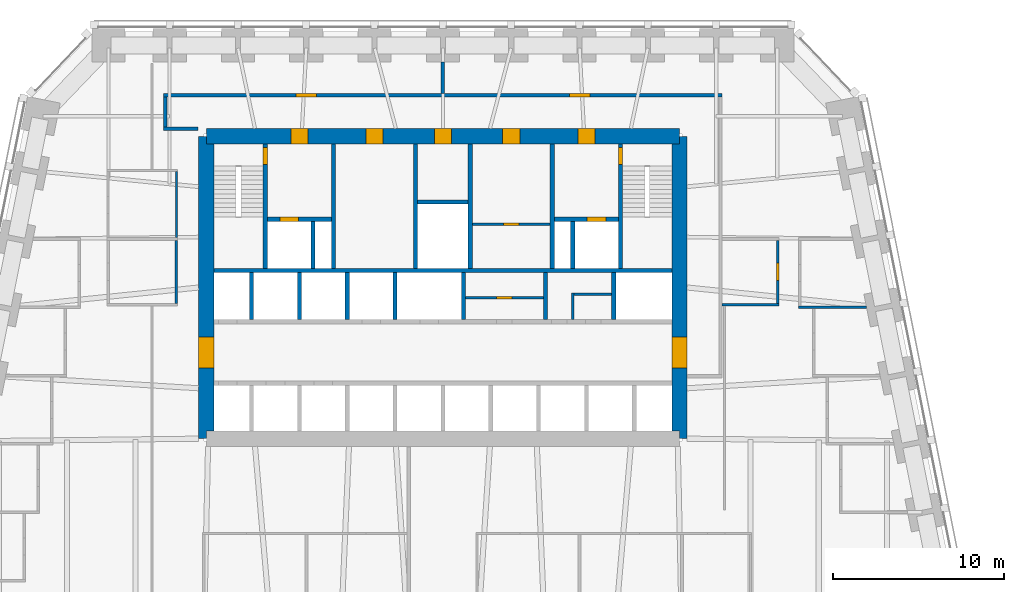
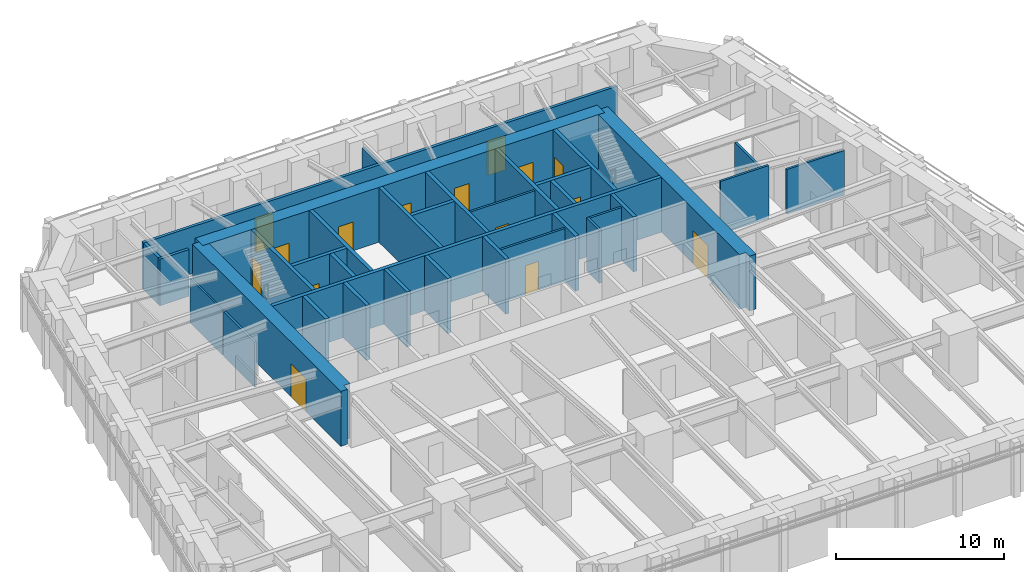
# One storey, part 7 of 10: 35 walls, 16 doors, 16 openings.
"""IFC4 building model written with IfcOpenShell, lengths in metres."""

from ifc_helpers import new_model, si_unit, direction, frame, frame_2d, origin, place, context, subcontext, project, spatial, polyline, rectangle, outline, extrude, material, layer, layer_set, type_object, element, fill, save


model = new_model("IFC4")

# Units and contexts
model_context = context("Model", 3, precision=1e-05, world=origin(), true_north=direction((0.0, 1.0)))
body_context = subcontext(model_context, "Body", "Model", "MODEL_VIEW")
ifc_project = project(units=[si_unit("LENGTHUNIT", "METRE"), si_unit("AREAUNIT", "SQUARE_METRE"), si_unit("VOLUMEUNIT", "CUBIC_METRE"), si_unit("PLANEANGLEUNIT", "RADIAN"), si_unit("MASSUNIT", "GRAM", prefix="KILO")], contexts=[model_context])

# Site, building, storey
site_placement = place(None, origin())
site = spatial("IfcSite", under=ifc_project, at=site_placement, CompositionType="ELEMENT")
building_placement = place(site_placement, origin())
building = spatial("IfcBuilding", under=site, at=building_placement, Name="Isbrekke Arena Tower", CompositionType="ELEMENT")
storey_placement = place(building_placement, frame((0.0, 0.0, 60.0)))
storey = spatial("IfcBuildingStorey", under=building, at=storey_placement, Name="L12", CompositionType="ELEMENT", Elevation=60.0)

# Wall, opening, door
ifc_material_1 = material(Name="Concrete B65 (C65/80)", Category="concrete")
ifc_layer_1 = layer(ifc_material_1, 0.89990234375)
ifc_layer_set_1 = layer_set([ifc_layer_1], Name="CW2 CORE WALL 900")
wall_type_1 = type_object("IfcWallType", Name="CW2 CORE WALL 900", PredefinedType="SHEAR", material=ifc_layer_set_1)
wall_1_placement = place(storey_placement, frame((13.85009765625, 6.14990234375, 0.0), z_axis=(0.0, 0.0, 1.0), x_axis=(0.0, 1.0, 0.0)))
wall_1 = element("IfcWall", 1, at=wall_1_placement, inside=storey, type_object=wall_type_1, Name="Core wall E L12", PredefinedType="SHEAR", context=body_context, shape_type="SweptSolid", body=[
    extrude(outline(polyline([(0.0, -0.449951171875), (17.7001953125, -0.449951171875), (17.7001953125, 0.0), (17.250244140625, 0.0), (17.250244140625, 0.449951171875), (0.449951171875, 0.449951171875), (0.449951171875, 0.0), (0.0, 0.0), (0.0, -0.449951171875)])), origin(), (0.0, 0.0, 1.0), 4.0),
])
opening_1_placement = place(wall_1_placement, frame((4.14990234375, 0.0, 0.0)))
opening_1 = element("IfcOpeningElement", 2, at=opening_1_placement, cuts=wall_1, Name="Opening D1", PredefinedType="OPENING", context=body_context, shape_type="SweptSolid", body=[
    extrude(rectangle(XDim=1.800048828125, YDim=2.39990234375, at=frame_2d((0.89990234375, 1.199951171875))), frame((0.0, 0.46484375, 0.0), z_axis=(0.0, -1.0, 0.0), x_axis=(1.0, 0.0, 0.0)), (0.0, 0.0, 1.0), 0.9296875),
])
ifc_material_2 = material(Name="Steel-framed glazed fire door", Category="steel")
door_type_1 = type_object("IfcDoorType", Name="D1 CORE LOBBY DOOR 1800 x 2400", OperationType="DOUBLE_DOOR_SINGLE_SWING", PredefinedType="DOOR", material=ifc_material_2)
door_1_placement = place(opening_1_placement, origin())
door_1 = element("IfcDoor", 3, at=door_1_placement, inside=storey, type_object=door_type_1, Name="D1 lift lobby door east L12", OperationType="DOUBLE_DOOR_SINGLE_SWING", OverallHeight=2.39990234375, OverallWidth=1.800048828125, PredefinedType="DOOR", context=body_context, shape_type="SweptSolid", body=[
    extrude(rectangle(XDim=1.800048828125, YDim=2.39990234375, at=frame_2d((0.89990234375, 1.199951171875))), frame((0.0, 0.44970703125, 0.0), z_axis=(0.0, -1.0, 0.0), x_axis=(1.0, 0.0, 0.0)), (0.0, 0.0, 1.0), 0.8994140625),
])
fill(opening_1, door_1)

# Wall, openings, doors
wall_2_placement = place(storey_placement, frame((13.85009765625, 23.85009765625, 0.0), z_axis=(0.0, 0.0, 1.0), x_axis=(-1.0, 0.0, 0.0)))
wall_2 = element("IfcWall", 4, at=wall_2_placement, inside=storey, type_object=wall_type_1, Name="Core wall N L12", PredefinedType="SHEAR", context=body_context, shape_type="SweptSolid", body=[
    extrude(rectangle(XDim=27.7001953125, YDim=0.89990234375, at=frame_2d((13.85009765625, 0.0))), origin(), (0.0, 0.0, 1.0), 4.0),
])
opening_2_placement = place(wall_2_placement, frame((21.75, 0.0, 0.0)))
opening_2 = element("IfcOpeningElement", 5, at=opening_2_placement, cuts=wall_2, Name="Opening D3", PredefinedType="OPENING", context=body_context, shape_type="SweptSolid", body=[
    extrude(rectangle(XDim=1.0, YDim=2.10009765625, at=frame_2d((0.5, 1.050048828125))), frame((0.0, 0.46484375, 0.0), z_axis=(0.0, -1.0, 0.0), x_axis=(1.0, 0.0, 0.0)), (0.0, 0.0, 1.0), 0.9296875),
])
opening_3_placement = place(wall_2_placement, frame((4.949951171875, 0.0, 0.0)))
opening_3 = element("IfcOpeningElement", 6, at=opening_3_placement, cuts=wall_2, Name="Opening D3", PredefinedType="OPENING", context=body_context, shape_type="SweptSolid", body=[
    extrude(rectangle(XDim=1.0, YDim=2.10009765625, at=frame_2d((0.5, 1.050048828125))), frame((0.0, 0.46484375, 0.0), z_axis=(0.0, -1.0, 0.0), x_axis=(1.0, 0.0, 0.0)), (0.0, 0.0, 1.0), 0.9296875),
])
opening_4_placement = place(wall_2_placement, frame((17.35009765625, 0.0, 0.0)))
opening_4 = element("IfcOpeningElement", 7, at=opening_4_placement, cuts=wall_2, Name="Opening D4", PredefinedType="OPENING", context=body_context, shape_type="SweptSolid", body=[
    extrude(rectangle(XDim=1.0, YDim=2.10009765625, at=frame_2d((0.5, 1.050048828125))), frame((0.0, 0.46484375, 0.0), z_axis=(0.0, -1.0, 0.0), x_axis=(1.0, 0.0, 0.0)), (0.0, 0.0, 1.0), 0.9296875),
])
opening_5_placement = place(wall_2_placement, frame((13.35009765625, 0.0, 0.0)))
opening_5 = element("IfcOpeningElement", 8, at=opening_5_placement, cuts=wall_2, Name="Opening D4", PredefinedType="OPENING", context=body_context, shape_type="SweptSolid", body=[
    extrude(rectangle(XDim=1.0, YDim=2.10009765625, at=frame_2d((0.5, 1.050048828125))), frame((0.0, 0.46484375, 0.0), z_axis=(0.0, -1.0, 0.0), x_axis=(1.0, 0.0, 0.0)), (0.0, 0.0, 1.0), 0.9296875),
])
opening_6_placement = place(wall_2_placement, frame((9.35009765625, 0.0, 0.0)))
opening_6 = element("IfcOpeningElement", 9, at=opening_6_placement, cuts=wall_2, Name="Opening D4", PredefinedType="OPENING", context=body_context, shape_type="SweptSolid", body=[
    extrude(rectangle(XDim=1.0, YDim=2.10009765625, at=frame_2d((0.5, 1.050048828125))), frame((0.0, 0.46484375, 0.0), z_axis=(0.0, -1.0, 0.0), x_axis=(1.0, 0.0, 0.0)), (0.0, 0.0, 1.0), 0.9296875),
])
ifc_material_3 = material(Name="Steel fire door", Category="steel")
door_type_2 = type_object("IfcDoorType", Name="D3 FIRE LOBBY DOOR 1000 x 2100", OperationType="SINGLE_SWING_RIGHT", PredefinedType="DOOR", material=ifc_material_3)
door_2_placement = place(opening_2_placement, origin())
door_2 = element("IfcDoor", 10, at=door_2_placement, inside=storey, type_object=door_type_2, Name="D3 fire-fighting lobby door L12", OperationType="SINGLE_SWING_RIGHT", OverallHeight=2.10009765625, OverallWidth=1.0, PredefinedType="DOOR", context=body_context, shape_type="SweptSolid", body=[
    extrude(rectangle(XDim=1.0, YDim=2.10009765625, at=frame_2d((0.5, 1.050048828125))), frame((0.0, 0.44970703125, 0.0), z_axis=(0.0, -1.0, 0.0), x_axis=(1.0, 0.0, 0.0)), (0.0, 0.0, 1.0), 0.8994140625),
])
fill(opening_2, door_2)
door_3_placement = place(opening_3_placement, origin())
door_3 = element("IfcDoor", 11, at=door_3_placement, inside=storey, type_object=door_type_2, Name="D3 fire-fighting lobby door L12", OperationType="SINGLE_SWING_RIGHT", OverallHeight=2.10009765625, OverallWidth=1.0, PredefinedType="DOOR", context=body_context, shape_type="SweptSolid", body=[
    extrude(rectangle(XDim=1.0, YDim=2.10009765625, at=frame_2d((0.5, 1.050048828125))), frame((0.0, 0.44970703125, 0.0), z_axis=(0.0, -1.0, 0.0), x_axis=(1.0, 0.0, 0.0)), (0.0, 0.0, 1.0), 0.8994140625),
])
fill(opening_3, door_3)
ifc_material_4 = material(Name="Timber door", Category="wood")
door_type_3 = type_object("IfcDoorType", Name="D4 WC DOOR 1000 x 2100", OperationType="SINGLE_SWING_LEFT", PredefinedType="DOOR", material=ifc_material_4)
door_4_placement = place(opening_4_placement, origin())
door_4 = element("IfcDoor", 12, at=door_4_placement, inside=storey, type_object=door_type_3, Name="D4 wc female door L12", OperationType="SINGLE_SWING_LEFT", OverallHeight=2.10009765625, OverallWidth=1.0, PredefinedType="DOOR", context=body_context, shape_type="SweptSolid", body=[
    extrude(rectangle(XDim=1.0, YDim=2.10009765625, at=frame_2d((0.5, 1.050048828125))), frame((0.0, 0.44970703125, 0.0), z_axis=(0.0, -1.0, 0.0), x_axis=(1.0, 0.0, 0.0)), (0.0, 0.0, 1.0), 0.8994140625),
])
fill(opening_4, door_4)
door_5_placement = place(opening_5_placement, origin())
door_5 = element("IfcDoor", 13, at=door_5_placement, inside=storey, type_object=door_type_3, Name="D4 accessible wc door L12", OperationType="SINGLE_SWING_LEFT", OverallHeight=2.10009765625, OverallWidth=1.0, PredefinedType="DOOR", context=body_context, shape_type="SweptSolid", body=[
    extrude(rectangle(XDim=1.0, YDim=2.10009765625, at=frame_2d((0.5, 1.050048828125))), frame((0.0, 0.44970703125, 0.0), z_axis=(0.0, -1.0, 0.0), x_axis=(1.0, 0.0, 0.0)), (0.0, 0.0, 1.0), 0.8994140625),
])
fill(opening_5, door_5)
door_6_placement = place(opening_6_placement, origin())
door_6 = element("IfcDoor", 14, at=door_6_placement, inside=storey, type_object=door_type_3, Name="D4 wc male door L12", OperationType="SINGLE_SWING_LEFT", OverallHeight=2.10009765625, OverallWidth=1.0, PredefinedType="DOOR", context=body_context, shape_type="SweptSolid", body=[
    extrude(rectangle(XDim=1.0, YDim=2.10009765625, at=frame_2d((0.5, 1.050048828125))), frame((0.0, 0.44970703125, 0.0), z_axis=(0.0, -1.0, 0.0), x_axis=(1.0, 0.0, 0.0)), (0.0, 0.0, 1.0), 0.8994140625),
])
fill(opening_6, door_6)

# Wall, opening, door
wall_3_placement = place(storey_placement, frame((-13.85009765625, 23.85009765625, 0.0), z_axis=(0.0, 0.0, 1.0), x_axis=(0.0, -1.0, 0.0)))
wall_3 = element("IfcWall", 15, at=wall_3_placement, inside=storey, type_object=wall_type_1, Name="Core wall W L12", PredefinedType="SHEAR", context=body_context, shape_type="SweptSolid", body=[
    extrude(outline(polyline([(0.0, -0.449951171875), (17.7001953125, -0.449951171875), (17.7001953125, 0.0), (17.250244140625, 0.0), (17.250244140625, 0.449951171875), (0.449951171875, 0.449951171875), (0.449951171875, 0.0), (0.0, 0.0), (0.0, -0.449951171875)])), origin(), (0.0, 0.0, 1.0), 4.0),
])
opening_7_placement = place(wall_3_placement, frame((11.75, 0.0, 0.0)))
opening_7 = element("IfcOpeningElement", 16, at=opening_7_placement, cuts=wall_3, Name="Opening D1", PredefinedType="OPENING", context=body_context, shape_type="SweptSolid", body=[
    extrude(rectangle(XDim=1.800048828125, YDim=2.39990234375, at=frame_2d((0.89990234375, 1.199951171875))), frame((0.0, 0.46484375, 0.0), z_axis=(0.0, -1.0, 0.0), x_axis=(1.0, 0.0, 0.0)), (0.0, 0.0, 1.0), 0.9296875),
])
door_7_placement = place(opening_7_placement, origin())
door_7 = element("IfcDoor", 17, at=door_7_placement, inside=storey, type_object=door_type_1, Name="D1 lift lobby door west L12", OperationType="DOUBLE_DOOR_SINGLE_SWING", OverallHeight=2.39990234375, OverallWidth=1.800048828125, PredefinedType="DOOR", context=body_context, shape_type="SweptSolid", body=[
    extrude(rectangle(XDim=1.800048828125, YDim=2.39990234375, at=frame_2d((0.89990234375, 1.199951171875))), frame((0.0, 0.44970703125, 0.0), z_axis=(0.0, -1.0, 0.0), x_axis=(1.0, 0.0, 0.0)), (0.0, 0.0, 1.0), 0.8994140625),
])
fill(opening_7, door_7)

# Walls
ifc_material_5 = material(Name="Concrete B45 (C45/55)", Category="concrete")
ifc_layer_2 = layer(ifc_material_5, 0.25)
ifc_layer_set_2 = layer_set([ifc_layer_2], Name="CW6 SHAFT WALL 250")
wall_type_2 = type_object("IfcWallType", Name="CW6 SHAFT WALL 250", PredefinedType="SHEAR", material=ifc_layer_set_2)
wall_4_placement = place(storey_placement, frame((-13.39990234375, 16.0, 0.0), z_axis=(0.0, 0.0, 1.0), x_axis=(1.0, 0.0, 0.0)))
element("IfcWall", 18, at=wall_4_placement, inside=storey, type_object=wall_type_2, Name="Core wall NB L12", PredefinedType="SHEAR", context=body_context, shape_type="SweptSolid", body=[
    extrude(rectangle(XDim=26.7998046875, YDim=0.25, at=frame_2d((13.39990234375, 0.0))), origin(), (0.0, 0.0, 1.0), 4.0),
])
for number, where, z_axis, x_axis, name in (
    (19, (-11.199951171875, 13.125, 0.0), (0.0, 0.0, 1.0), (0.0, 1.0, 0.0), "Core wall SN01 L12"),
    (20, (-8.39990234375, 13.125, 0.0), (0.0, 0.0, 1.0), (0.0, 1.0, 0.0), "Core wall SN02 L12"),
    (21, (-5.60009765625, 13.125, 0.0), (0.0, 0.0, 1.0), (0.0, 1.0, 0.0), "Core wall SN03 L12"),
    (22, (-2.800048828125, 13.125, 0.0), (0.0, 0.0, 1.0), (0.0, 1.0, 0.0), "Core wall SN04 L12"),
    (23, (1.199951171875, 13.125, 0.0), (0.0, 0.0, 1.0), (0.0, 1.0, 0.0), "Core wall SN05 L12"),
    (24, (6.0, 13.125, 0.0), (0.0, 0.0, 1.0), (0.0, 1.0, 0.0), "Core wall SN06 L12"),
    (25, (10.0, 13.125, 0.0), (0.0, 0.0, 1.0), (0.0, 1.0, 0.0), "Core wall SN07 L12"),
):
    element("IfcWall", number, at=place(storey_placement, frame(where, z_axis=z_axis, x_axis=x_axis)), inside=storey, type_object=wall_type_2, Name=name, PredefinedType="SHEAR", context=body_context, shape_type="SweptSolid", body=[
        extrude(rectangle(XDim=2.75, YDim=0.25, at=frame_2d((1.375, 0.0))), origin(), (0.0, 0.0, 1.0), 4.0),
    ])

# Wall, opening, door
wall_5_placement = place(storey_placement, frame((-10.39990234375, 16.125, 0.0), z_axis=(0.0, 0.0, 1.0), x_axis=(0.0, 1.0, 0.0)))
wall_5 = element("IfcWall", 26, at=wall_5_placement, inside=storey, type_object=wall_type_2, Name="Core wall NV01 L12", PredefinedType="SHEAR", context=body_context, shape_type="SweptSolid", body=[
    extrude(rectangle(XDim=7.27490234375, YDim=0.25, at=frame_2d((3.637451171875, 0.0))), origin(), (0.0, 0.0, 1.0), 4.0),
])
opening_8_placement = place(wall_5_placement, frame((6.074951171875, 0.0, 0.0)))
opening_8 = element("IfcOpeningElement", 27, at=opening_8_placement, cuts=wall_5, Name="Opening D2", PredefinedType="OPENING", context=body_context, shape_type="SweptSolid", body=[
    extrude(rectangle(XDim=1.0, YDim=2.10009765625, at=frame_2d((0.5, 1.050048828125))), frame((0.0, 0.139892578125, 0.0), z_axis=(0.0, -1.0, 0.0), x_axis=(1.0, 0.0, 0.0)), (0.0, 0.0, 1.0), 0.27978515625),
])
ifc_material_6 = material(Name="Steel fire door", Category="steel")
door_type_4 = type_object("IfcDoorType", Name="D2 STAIR DOOR 1000 x 2100", OperationType="SINGLE_SWING_LEFT", PredefinedType="DOOR", material=ifc_material_6)
door_8_placement = place(opening_8_placement, origin())
door_8 = element("IfcDoor", 28, at=door_8_placement, inside=storey, type_object=door_type_4, Name="D2 stair door ST1 L12", OperationType="SINGLE_SWING_LEFT", OverallHeight=2.10009765625, OverallWidth=1.0, PredefinedType="DOOR", context=body_context, shape_type="SweptSolid", body=[
    extrude(rectangle(XDim=1.0, YDim=2.10009765625, at=frame_2d((0.5, 1.050048828125))), frame((0.0, 0.124755859375, 0.0), z_axis=(0.0, -1.0, 0.0), x_axis=(1.0, 0.0, 0.0)), (0.0, 0.0, 1.0), 0.24951171875),
])
fill(opening_8, door_8)

# Walls
for number, where, z_axis, x_axis, name in (
    (29, (-6.39990234375, 16.125, 0.0), (0.0, 0.0, 1.0), (0.0, 1.0, 0.0), "Core wall NV02 L12"),
    (30, (-1.60009765625, 16.125, 0.0), (0.0, 0.0, 1.0), (0.0, 1.0, 0.0), "Core wall NV03 L12"),
    (31, (1.60009765625, 16.125, 0.0), (0.0, 0.0, 1.0), (0.0, 1.0, 0.0), "Core wall NV04 L12"),
    (32, (6.39990234375, 16.125, 0.0), (0.0, 0.0, 1.0), (0.0, 1.0, 0.0), "Core wall NV05 L12"),
):
    element("IfcWall", number, at=place(storey_placement, frame(where, z_axis=z_axis, x_axis=x_axis)), inside=storey, type_object=wall_type_2, Name=name, PredefinedType="SHEAR", context=body_context, shape_type="SweptSolid", body=[
        extrude(rectangle(XDim=7.27490234375, YDim=0.25, at=frame_2d((3.637451171875, 0.0))), origin(), (0.0, 0.0, 1.0), 4.0),
    ])

# Wall, opening, door
wall_6_placement = place(storey_placement, frame((10.39990234375, 16.125, 0.0), z_axis=(0.0, 0.0, 1.0), x_axis=(0.0, 1.0, 0.0)))
wall_6 = element("IfcWall", 33, at=wall_6_placement, inside=storey, type_object=wall_type_2, Name="Core wall NV06 L12", PredefinedType="SHEAR", context=body_context, shape_type="SweptSolid", body=[
    extrude(rectangle(XDim=7.27490234375, YDim=0.25, at=frame_2d((3.637451171875, 0.0))), origin(), (0.0, 0.0, 1.0), 4.0),
])
opening_9_placement = place(wall_6_placement, frame((6.074951171875, 0.0, 0.0)))
opening_9 = element("IfcOpeningElement", 34, at=opening_9_placement, cuts=wall_6, Name="Opening D2", PredefinedType="OPENING", context=body_context, shape_type="SweptSolid", body=[
    extrude(rectangle(XDim=1.0, YDim=2.10009765625, at=frame_2d((0.5, 1.050048828125))), frame((0.0, 0.139892578125, 0.0), z_axis=(0.0, -1.0, 0.0), x_axis=(1.0, 0.0, 0.0)), (0.0, 0.0, 1.0), 0.27978515625),
])
door_9_placement = place(opening_9_placement, origin())
door_9 = element("IfcDoor", 35, at=door_9_placement, inside=storey, type_object=door_type_4, Name="D2 stair door ST2 L12", OperationType="SINGLE_SWING_LEFT", OverallHeight=2.10009765625, OverallWidth=1.0, PredefinedType="DOOR", context=body_context, shape_type="SweptSolid", body=[
    extrude(rectangle(XDim=1.0, YDim=2.10009765625, at=frame_2d((0.5, 1.050048828125))), frame((0.0, 0.124755859375, 0.0), z_axis=(0.0, -1.0, 0.0), x_axis=(1.0, 0.0, 0.0)), (0.0, 0.0, 1.0), 0.24951171875),
])
fill(opening_9, door_9)

wall_7_placement = place(storey_placement, frame((-10.27490234375, 19.0, 0.0), z_axis=(0.0, 0.0, 1.0), x_axis=(1.0, 0.0, 0.0)))
wall_7 = element("IfcWall", 36, at=wall_7_placement, inside=storey, type_object=wall_type_2, Name="Core wall NFW L12", PredefinedType="SHEAR", context=body_context, shape_type="SweptSolid", body=[
    extrude(rectangle(XDim=3.75, YDim=0.25, at=frame_2d((1.875, 0.0))), origin(), (0.0, 0.0, 1.0), 4.0),
])
opening_10_placement = place(wall_7_placement, frame((0.72509765625, 0.0, 0.0)))
opening_10 = element("IfcOpeningElement", 37, at=opening_10_placement, cuts=wall_7, Name="Opening LD2", PredefinedType="OPENING", context=body_context, shape_type="SweptSolid", body=[
    extrude(rectangle(XDim=1.10009765625, YDim=2.10009765625, at=frame_2d((0.550048828125, 1.050048828125))), frame((0.0, 0.139892578125, 0.0), z_axis=(0.0, -1.0, 0.0), x_axis=(1.0, 0.0, 0.0)), (0.0, 0.0, 1.0), 0.27978515625),
])
ifc_material_7 = material(Name="Stainless steel lift landing door", Category="steel")
door_type_5 = type_object("IfcDoorType", Name="LD2 FIRE-FIGHTING LIFT LANDING DOOR 1100 x 2100", OperationType="SLIDING_TO_RIGHT", PredefinedType="DOOR", material=ifc_material_7)
door_10_placement = place(opening_10_placement, origin())
door_10 = element("IfcDoor", 38, at=door_10_placement, inside=storey, type_object=door_type_5, Name="LD2 lift landing door LF L12", OperationType="SLIDING_TO_RIGHT", OverallHeight=2.10009765625, OverallWidth=1.10009765625, PredefinedType="DOOR", context=body_context, shape_type="SweptSolid", body=[
    extrude(rectangle(XDim=1.10009765625, YDim=2.10009765625, at=frame_2d((0.550048828125, 1.050048828125))), frame((0.0, 0.124755859375, 0.0), z_axis=(0.0, -1.0, 0.0), x_axis=(1.0, 0.0, 0.0)), (0.0, 0.0, 1.0), 0.24951171875),
])
fill(opening_10, door_10)

wall_8_placement = place(storey_placement, frame((6.52490234375, 19.0, 0.0), z_axis=(0.0, 0.0, 1.0), x_axis=(1.0, 0.0, 0.0)))
wall_8 = element("IfcWall", 39, at=wall_8_placement, inside=storey, type_object=wall_type_2, Name="Core wall NFE L12", PredefinedType="SHEAR", context=body_context, shape_type="SweptSolid", body=[
    extrude(rectangle(XDim=3.75, YDim=0.25, at=frame_2d((1.875, 0.0))), origin(), (0.0, 0.0, 1.0), 4.0),
])
opening_11_placement = place(wall_8_placement, frame((1.925048828125, 0.0, 0.0)))
opening_11 = element("IfcOpeningElement", 40, at=opening_11_placement, cuts=wall_8, Name="Opening LD2", PredefinedType="OPENING", context=body_context, shape_type="SweptSolid", body=[
    extrude(rectangle(XDim=1.10009765625, YDim=2.10009765625, at=frame_2d((0.550048828125, 1.050048828125))), frame((0.0, 0.139892578125, 0.0), z_axis=(0.0, -1.0, 0.0), x_axis=(1.0, 0.0, 0.0)), (0.0, 0.0, 1.0), 0.27978515625),
])
door_11_placement = place(opening_11_placement, origin())
door_11 = element("IfcDoor", 41, at=door_11_placement, inside=storey, type_object=door_type_5, Name="LD2 lift landing door LF L12", OperationType="SLIDING_TO_RIGHT", OverallHeight=2.10009765625, OverallWidth=1.10009765625, PredefinedType="DOOR", context=body_context, shape_type="SweptSolid", body=[
    extrude(rectangle(XDim=1.10009765625, YDim=2.10009765625, at=frame_2d((0.550048828125, 1.050048828125))), frame((0.0, 0.124755859375, 0.0), z_axis=(0.0, -1.0, 0.0), x_axis=(1.0, 0.0, 0.0)), (0.0, 0.0, 1.0), 0.24951171875),
])
fill(opening_11, door_11)

# Walls
for number, where, z_axis, x_axis, name in (
    (42, (-7.60009765625, 16.125, 0.0), (0.0, 0.0, 1.0), (0.0, 1.0, 0.0), "Core wall NFS1 L12"),
    (43, (7.60009765625, 16.125, 0.0), (0.0, 0.0, 1.0), (0.0, 1.0, 0.0), "Core wall NFS2 L12"),
):
    element("IfcWall", number, at=place(storey_placement, frame(where, z_axis=z_axis, x_axis=x_axis)), inside=storey, type_object=wall_type_2, Name=name, PredefinedType="SHEAR", context=body_context, shape_type="SweptSolid", body=[
        extrude(rectangle(XDim=2.75, YDim=0.25, at=frame_2d((1.375, 0.0))), origin(), (0.0, 0.0, 1.0), 4.0),
    ])
wall_9_placement = place(storey_placement, frame((-1.47509765625, 20.0, 0.0), z_axis=(0.0, 0.0, 1.0), x_axis=(1.0, 0.0, 0.0)))
element("IfcWall", 44, at=wall_9_placement, inside=storey, type_object=wall_type_2, Name="Core wall NWC L12", PredefinedType="SHEAR", context=body_context, shape_type="SweptSolid", body=[
    extrude(rectangle(XDim=2.9501953125, YDim=0.25, at=frame_2d((1.47509765625, 0.0))), origin(), (0.0, 0.0, 1.0), 4.0),
])
ifc_material_8 = material(Name="Gypsum board partition on steel studs", Category="steel")
ifc_layer_3 = layer(ifc_material_8, 0.14990234375)
ifc_layer_set_3 = layer_set([ifc_layer_3], Name="IW1 PARTITION 150")
wall_type_3 = type_object("IfcWallType", Name="IW1 PARTITION 150", PredefinedType="PARTITIONING", material=ifc_layer_set_3)
wall_10_placement = place(storey_placement, frame((20.824951171875, 13.840087890625, 0.0), z_axis=(0.0, 0.0, 1.0), x_axis=(1.0, 0.0, 0.0)))
element("IfcWall", 45, at=wall_10_placement, inside=storey, type_object=wall_type_3, Name="IW1 partition 150 L12", PredefinedType="PARTITIONING", context=body_context, shape_type="SweptSolid", body=[
    extrude(rectangle(XDim=3.971435546875, YDim=0.14990234375, at=frame_2d((1.98583984375, 0.0))), origin(), (0.0, 0.0, 1.0), 3.25),
])
wall_11_placement = place(storey_placement, frame((16.35009765625, 14.0, 0.0), z_axis=(0.0, 0.0, 1.0), x_axis=(1.0, 0.0, 0.0)))
element("IfcWall", 46, at=wall_11_placement, inside=storey, type_object=wall_type_3, Name="IW1 partition 150 L12", PredefinedType="PARTITIONING", context=body_context, shape_type="SweptSolid", body=[
    extrude(rectangle(XDim=3.324951171875, YDim=0.14990234375, at=frame_2d((1.66259765625, 0.0))), origin(), (0.0, 0.0, 1.0), 3.85009765625),
])
wall_12_placement = place(storey_placement, frame((-15.60009765625, 14.074951171875, 0.0), z_axis=(0.0, 0.0, 1.0), x_axis=(0.0, 1.0, 0.0)))
element("IfcWall", 47, at=wall_12_placement, inside=storey, type_object=wall_type_3, Name="IW1 partition 150 L12", PredefinedType="PARTITIONING", context=body_context, shape_type="SweptSolid", body=[
    extrude(rectangle(XDim=3.68994140625, YDim=0.14990234375, at=frame_2d((1.844970703125, 0.0))), origin(), (0.0, 0.0, 1.0), 3.25),
])

# Wall, opening, door
wall_13_placement = place(storey_placement, frame((19.60009765625, 14.074951171875, 0.0), z_axis=(0.0, 0.0, 1.0), x_axis=(0.0, 1.0, 0.0)))
wall_13 = element("IfcWall", 48, at=wall_13_placement, inside=storey, type_object=wall_type_3, Name="IW1 partition 150 L12", PredefinedType="PARTITIONING", context=body_context, shape_type="SweptSolid", body=[
    extrude(rectangle(XDim=3.68994140625, YDim=0.14990234375, at=frame_2d((1.844970703125, 0.0))), origin(), (0.0, 0.0, 1.0), 3.25),
])
opening_12_placement = place(wall_13_placement, frame((1.344970703125, 0.0, 0.0)))
opening_12 = element("IfcOpeningElement", 49, at=opening_12_placement, cuts=wall_13, Name="Opening D10", PredefinedType="OPENING", context=body_context, shape_type="SweptSolid", body=[
    extrude(rectangle(XDim=1.0, YDim=2.300048828125, at=frame_2d((0.5, 1.14990234375))), frame((0.0, 0.08984375, 0.0), z_axis=(0.0, -1.0, 0.0), x_axis=(1.0, 0.0, 0.0)), (0.0, 0.0, 1.0), 0.1796875),
])
ifc_material_9 = material(Name="Timber door", Category="wood")
door_type_6 = type_object("IfcDoorType", Name="D10 OFFICE DOOR 1000 x 2300", OperationType="SINGLE_SWING_LEFT", PredefinedType="DOOR", material=ifc_material_9)
door_12_placement = place(opening_12_placement, origin())
door_12 = element("IfcDoor", 50, at=door_12_placement, inside=storey, type_object=door_type_6, Name="D10 pantry door L12", OperationType="SINGLE_SWING_LEFT", OverallHeight=2.300048828125, OverallWidth=1.0, PredefinedType="DOOR", context=body_context, shape_type="SweptSolid", body=[
    extrude(rectangle(XDim=1.0, YDim=2.300048828125, at=frame_2d((0.5, 1.14990234375))), frame((0.0, 0.07470703125, 0.0), z_axis=(0.0, -1.0, 0.0), x_axis=(1.0, 0.0, 0.0)), (0.0, 0.0, 1.0), 0.1494140625),
])
fill(opening_12, door_12)

# Walls
ifc_material_10 = material(Name="Frameless glazed partition, laminated acoustic glass", Category="glass")
ifc_layer_4 = layer(ifc_material_10, 0.1201171875)
ifc_layer_set_4 = layer_set([ifc_layer_4], Name="IW2 GLAZED PARTITION 120")
wall_type_4 = type_object("IfcWallType", Name="IW2 GLAZED PARTITION 120", PredefinedType="PARTITIONING", material=ifc_layer_set_4)
wall_14_placement = place(storey_placement, frame((-15.60009765625, 17.9150390625, 0.0), z_axis=(0.0, 0.0, 1.0), x_axis=(0.0, 1.0, 0.0)))
element("IfcWall", 51, at=wall_14_placement, inside=storey, type_object=wall_type_4, Name="IW2 glazed partition 120 L12", PredefinedType="PARTITIONING", context=body_context, shape_type="SweptSolid", body=[
    extrude(rectangle(XDim=3.864990234375, YDim=0.1201171875, at=frame_2d((1.9326171875, 0.0))), origin(), (0.0, 0.0, 1.0), 3.25),
])
ifc_material_11 = material(Name="Gypsum board fire-cell wall on steel studs, two layers each side", Category="steel")
ifc_layer_5 = layer(ifc_material_11, 0.199951171875)
ifc_layer_set_5 = layer_set([ifc_layer_5], Name="IW3 FIRE-CELL WALL 200")
wall_type_5 = type_object("IfcWallType", Name="IW3 FIRE-CELL WALL 200", PredefinedType="PARTITIONING", material=ifc_layer_set_5)
wall_15_placement = place(storey_placement, frame((-16.35009765625, 24.300048828125, 0.0), z_axis=(0.0, 0.0, 1.0), x_axis=(1.0, 0.0, 0.0)))
element("IfcWall", 52, at=wall_15_placement, inside=storey, type_object=wall_type_5, Name="IW3 fire-cell wall 200 L12", PredefinedType="PARTITIONING", context=body_context, shape_type="SweptSolid", body=[
    extrude(rectangle(XDim=2.02001953125, YDim=0.199951171875, at=frame_2d((1.010009765625, 0.0))), origin(), (0.0, 0.0, 1.0), 3.39990234375),
])

# Wall, openings, doors
wall_16_placement = place(storey_placement, frame((-16.35009765625, 26.25, 0.0), z_axis=(0.0, 0.0, 1.0), x_axis=(1.0, 0.0, 0.0)))
wall_16 = element("IfcWall", 53, at=wall_16_placement, inside=storey, type_object=wall_type_5, Name="IW3 fire-cell wall 200 L12", PredefinedType="PARTITIONING", context=body_context, shape_type="SweptSolid", body=[
    extrude(rectangle(XDim=32.7001953125, YDim=0.199951171875, at=frame_2d((16.35009765625, 0.0))), origin(), (0.0, 0.0, 1.0), 3.39990234375),
])
opening_13_placement = place(wall_16_placement, frame((7.75, 0.0, 0.0)))
opening_13 = element("IfcOpeningElement", 54, at=opening_13_placement, cuts=wall_16, Name="Opening D12", PredefinedType="OPENING", context=body_context, shape_type="SweptSolid", body=[
    extrude(rectangle(XDim=1.199951171875, YDim=2.39990234375, at=frame_2d((0.60009765625, 1.199951171875))), frame((0.0, 0.11474609375, 0.0), z_axis=(0.0, -1.0, 0.0), x_axis=(1.0, 0.0, 0.0)), (0.0, 0.0, 1.0), 0.229736328125),
])
opening_14_placement = place(wall_16_placement, frame((23.75, 0.0, 0.0)))
opening_14 = element("IfcOpeningElement", 55, at=opening_14_placement, cuts=wall_16, Name="Opening D12", PredefinedType="OPENING", context=body_context, shape_type="SweptSolid", body=[
    extrude(rectangle(XDim=1.199951171875, YDim=2.39990234375, at=frame_2d((0.60009765625, 1.199951171875))), frame((0.0, 0.11474609375, 0.0), z_axis=(0.0, -1.0, 0.0), x_axis=(1.0, 0.0, 0.0)), (0.0, 0.0, 1.0), 0.229736328125),
])
ifc_material_12 = material(Name="Timber fire door with vision panel", Category="wood")
door_type_7 = type_object("IfcDoorType", Name="D12 SUITE ENTRANCE DOOR 1200 x 2400", OperationType="SINGLE_SWING_LEFT", PredefinedType="DOOR", material=ifc_material_12)
door_13_placement = place(opening_13_placement, origin())
door_13 = element("IfcDoor", 56, at=door_13_placement, inside=storey, type_object=door_type_7, Name="D12 suite entrance W door L12", OperationType="SINGLE_SWING_LEFT", OverallHeight=2.39990234375, OverallWidth=1.199951171875, PredefinedType="DOOR", context=body_context, shape_type="SweptSolid", body=[
    extrude(rectangle(XDim=1.199951171875, YDim=2.39990234375, at=frame_2d((0.60009765625, 1.199951171875))), frame((0.0, 0.099609375, 0.0), z_axis=(0.0, -1.0, 0.0), x_axis=(1.0, 0.0, 0.0)), (0.0, 0.0, 1.0), 0.199462890625),
])
fill(opening_13, door_13)
door_14_placement = place(opening_14_placement, origin())
door_14 = element("IfcDoor", 57, at=door_14_placement, inside=storey, type_object=door_type_7, Name="D12 suite entrance E door L12", OperationType="SINGLE_SWING_LEFT", OverallHeight=2.39990234375, OverallWidth=1.199951171875, PredefinedType="DOOR", context=body_context, shape_type="SweptSolid", body=[
    extrude(rectangle(XDim=1.199951171875, YDim=2.39990234375, at=frame_2d((0.60009765625, 1.199951171875))), frame((0.0, 0.099609375, 0.0), z_axis=(0.0, -1.0, 0.0), x_axis=(1.0, 0.0, 0.0)), (0.0, 0.0, 1.0), 0.199462890625),
])
fill(opening_14, door_14)

# Walls
wall_17_placement = place(storey_placement, frame((-16.25, 24.39990234375, 0.0), z_axis=(0.0, 0.0, 1.0), x_axis=(0.0, 1.0, 0.0)))
element("IfcWall", 58, at=wall_17_placement, inside=storey, type_object=wall_type_5, Name="IW3 fire-cell wall 200 L12", PredefinedType="PARTITIONING", context=body_context, shape_type="SweptSolid", body=[
    extrude(rectangle(XDim=1.75, YDim=0.199951171875, at=frame_2d((0.875, 0.0))), origin(), (0.0, 0.0, 1.0), 3.39990234375),
])
wall_18_placement = place(storey_placement, frame((0.0, 26.35009765625, 0.0), z_axis=(0.0, 0.0, 1.0), x_axis=(0.0, 1.0, 0.0)))
element("IfcWall", 59, at=wall_18_placement, inside=storey, type_object=wall_type_5, Name="IW3 fire-cell wall 200 L12", PredefinedType="PARTITIONING", context=body_context, shape_type="SweptSolid", body=[
    extrude(rectangle(XDim=1.849853515625, YDim=0.199951171875, at=frame_2d((0.9248046875, 0.0))), origin(), (0.0, 0.0, 1.0), 3.39990234375),
])

# Wall, opening, door
ifc_material_13 = material(Name="Gypsum board fire-rated partition on steel studs, two layers each side", Category="steel")
ifc_layer_6 = layer(ifc_material_13, 0.14990234375)
ifc_layer_set_6 = layer_set([ifc_layer_6], Name="IW5 FIRE-RATED PARTITION 150")
wall_type_6 = type_object("IfcWallType", Name="IW5 FIRE-RATED PARTITION 150", PredefinedType="PARTITIONING", material=ifc_layer_set_6)
wall_19_placement = place(storey_placement, frame((1.72509765625, 18.699951171875, 0.0), z_axis=(0.0, 0.0, 1.0), x_axis=(1.0, 0.0, 0.0)))
wall_19 = element("IfcWall", 60, at=wall_19_placement, inside=storey, type_object=wall_type_6, Name="IW5 fire-rated partition L12 cleaner's store M", PredefinedType="PARTITIONING", context=body_context, shape_type="SweptSolid", body=[
    extrude(rectangle(XDim=4.5498046875, YDim=0.14990234375, at=frame_2d((2.27490234375, 0.0))), origin(), (0.0, 0.0, 1.0), 3.85009765625),
])
opening_15_placement = place(wall_19_placement, frame((1.824951171875, 0.0, 0.0)))
opening_15 = element("IfcOpeningElement", 61, at=opening_15_placement, cuts=wall_19, Name="Opening D5", PredefinedType="OPENING", context=body_context, shape_type="SweptSolid", body=[
    extrude(rectangle(XDim=0.89990234375, YDim=2.10009765625, at=frame_2d((0.449951171875, 1.050048828125))), frame((0.0, 0.08984375, 0.0), z_axis=(0.0, -1.0, 0.0), x_axis=(1.0, 0.0, 0.0)), (0.0, 0.0, 1.0), 0.1796875),
])
ifc_material_14 = material(Name="Steel fire door", Category="steel")
door_type_8 = type_object("IfcDoorType", Name="D5 SERVICE DOOR 900 x 2100", OperationType="SINGLE_SWING_LEFT", PredefinedType="DOOR", material=ifc_material_14)
door_15_placement = place(opening_15_placement, origin())
door_15 = element("IfcDoor", 62, at=door_15_placement, inside=storey, type_object=door_type_8, Name="D5 cleaner's store door L12", OperationType="SINGLE_SWING_LEFT", OverallHeight=2.10009765625, OverallWidth=0.89990234375, PredefinedType="DOOR", context=body_context, shape_type="SweptSolid", body=[
    extrude(rectangle(XDim=0.89990234375, YDim=2.10009765625, at=frame_2d((0.449951171875, 1.050048828125))), frame((0.0, 0.07470703125, 0.0), z_axis=(0.0, -1.0, 0.0), x_axis=(1.0, 0.0, 0.0)), (0.0, 0.0, 1.0), 0.1494140625),
])
fill(opening_15, door_15)

wall_20_placement = place(storey_placement, frame((1.324951171875, 14.39990234375, 0.0), z_axis=(0.0, 0.0, 1.0), x_axis=(1.0, 0.0, 0.0)))
wall_20 = element("IfcWall", 63, at=wall_20_placement, inside=storey, type_object=wall_type_6, Name="IW5 fire-rated partition L12 core service rooms 1", PredefinedType="PARTITIONING", context=body_context, shape_type="SweptSolid", body=[
    extrude(rectangle(XDim=4.550048828125, YDim=0.14990234375, at=frame_2d((2.27490234375, 0.0))), origin(), (0.0, 0.0, 1.0), 3.85009765625),
])
opening_16_placement = place(wall_20_placement, frame((1.824951171875, 0.0, 0.0)))
opening_16 = element("IfcOpeningElement", 64, at=opening_16_placement, cuts=wall_20, Name="Opening D5", PredefinedType="OPENING", context=body_context, shape_type="SweptSolid", body=[
    extrude(rectangle(XDim=0.89990234375, YDim=2.10009765625, at=frame_2d((0.449951171875, 1.050048828125))), frame((0.0, 0.08984375, 0.0), z_axis=(0.0, -1.0, 0.0), x_axis=(1.0, 0.0, 0.0)), (0.0, 0.0, 1.0), 0.1796875),
])
door_16_placement = place(opening_16_placement, origin())
door_16 = element("IfcDoor", 65, at=door_16_placement, inside=storey, type_object=door_type_8, Name="D5 archive door L12", OperationType="SINGLE_SWING_LEFT", OverallHeight=2.10009765625, OverallWidth=0.89990234375, PredefinedType="DOOR", context=body_context, shape_type="SweptSolid", body=[
    extrude(rectangle(XDim=0.89990234375, YDim=2.10009765625, at=frame_2d((0.449951171875, 1.050048828125))), frame((0.0, 0.07470703125, 0.0), z_axis=(0.0, -1.0, 0.0), x_axis=(1.0, 0.0, 0.0)), (0.0, 0.0, 1.0), 0.1494140625),
])
fill(opening_16, door_16)

# Walls
wall_21_placement = place(storey_placement, frame((7.60009765625, 13.125, 0.0), z_axis=(0.0, 0.0, 1.0), x_axis=(0.0, 1.0, 0.0)))
element("IfcWall", 66, at=wall_21_placement, inside=storey, type_object=wall_type_6, Name="IW5 fire-rated partition L12 core service rooms 2", PredefinedType="PARTITIONING", context=body_context, shape_type="SweptSolid", body=[
    extrude(rectangle(XDim=1.550048828125, YDim=0.14990234375, at=frame_2d((0.77490234375, 0.0))), origin(), (0.0, 0.0, 1.0), 3.85009765625),
])
wall_22_placement = place(storey_placement, frame((7.675048828125, 14.60009765625, 0.0), z_axis=(0.0, 0.0, 1.0), x_axis=(1.0, 0.0, 0.0)))
element("IfcWall", 67, at=wall_22_placement, inside=storey, type_object=wall_type_6, Name="IW5 fire-rated partition L12 core service rooms 3", PredefinedType="PARTITIONING", context=body_context, shape_type="SweptSolid", body=[
    extrude(rectangle(XDim=2.199951171875, YDim=0.14990234375, at=frame_2d((1.10009765625, 0.0))), origin(), (0.0, 0.0, 1.0), 3.85009765625),
])

save(model, "model.ifc")
